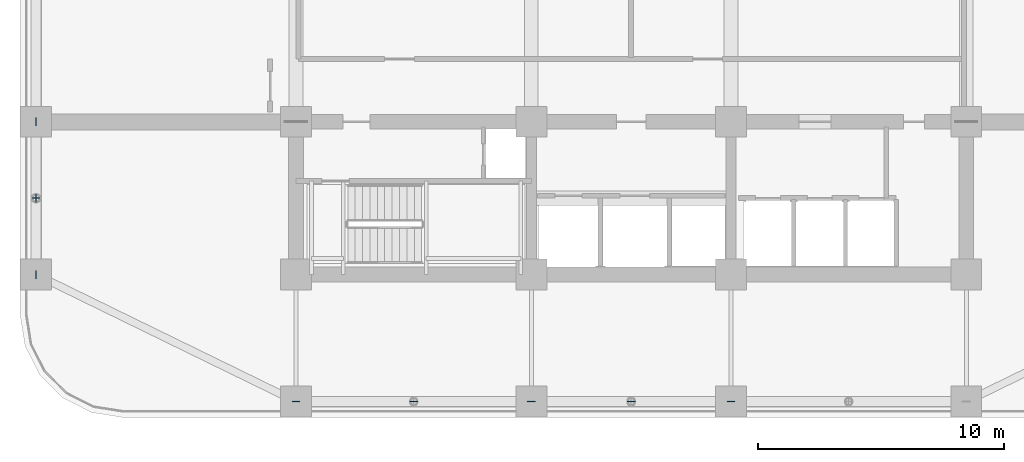
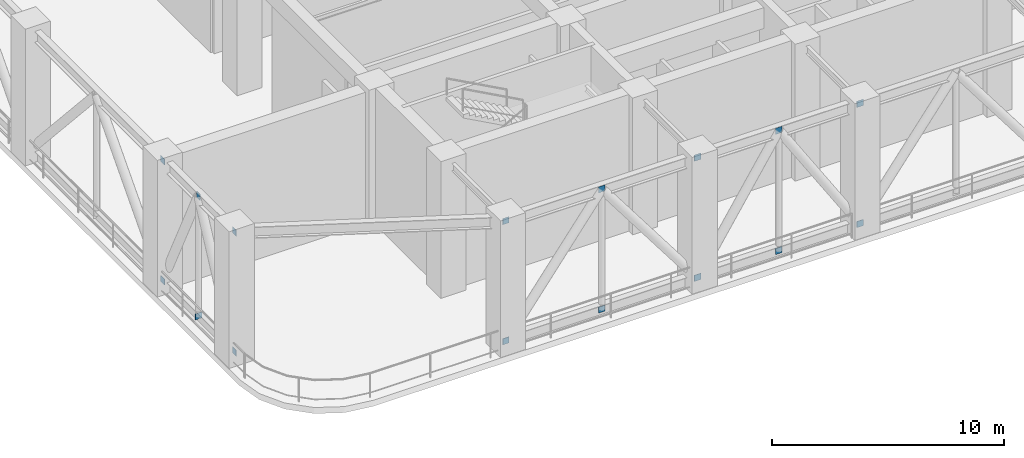
# One storey, part 13 of 20: 16 discrete accessories.
"""IFC4 building model written with IfcOpenShell, lengths in metres."""

from ifc_helpers import new_model, si_unit, direction, frame, origin, origin_2d, place, context, subcontext, project, spatial, rectangle, extrude, material, layer, layer_set, type_object, element, save


model = new_model("IFC4")

# Units and contexts
model_context = context("Model", 3, precision=1e-05, world=origin(), true_north=direction((0.0, 1.0)))
body_context = subcontext(model_context, "Body", "Model", "MODEL_VIEW")
ifc_project = project(units=[si_unit("LENGTHUNIT", "METRE"), si_unit("AREAUNIT", "SQUARE_METRE"), si_unit("VOLUMEUNIT", "CUBIC_METRE"), si_unit("PLANEANGLEUNIT", "RADIAN"), si_unit("MASSUNIT", "GRAM", prefix="KILO")], contexts=[model_context])

# Site, building, storey
site_placement = place(None, origin())
site = spatial("IfcSite", under=ifc_project, at=site_placement, CompositionType="ELEMENT")
building_placement = place(site_placement, origin())
building = spatial("IfcBuilding", under=site, at=building_placement, Name="Svetorya Sky Lyceum", CompositionType="ELEMENT")
storey_placement = place(building_placement, frame((0.0, 0.0, 76.89990234375)))
storey = spatial("IfcBuildingStorey", under=building, at=storey_placement, Name="L19", CompositionType="ELEMENT", Elevation=76.89990234375)

# Discrete accessories
ifc_material = material(Name="Steel S355", Category="steel")
ifc_layer = layer(ifc_material, 0.02392578125)
ifc_layer_set = layer_set([ifc_layer], Name="Steel S355")
discrete_accessory_type = type_object("IfcDiscreteAccessoryType", Name="ACC-GUSSET-24", PredefinedType="BRACKET", material=ifc_layer_set)
for number, where, z_axis, x_axis, name in (
    (1, (25.60009765625, 5.449951171875, 0.13525390625), (0.0, 0.0, 1.0), (1.0, 0.0, 0.0), "L19 Brace Node Gusset Plate 1"),
    (2, (35.14990234375, 5.449951171875, 0.13525390625), (0.0, 0.0, 1.0), (1.0, 0.0, 0.0), "L19 Brace Node Gusset Plate 2"),
    (3, (25.60009765625, 5.449951171875, 6.46484375), (0.0, 0.0, 1.0), (1.0, 0.0, 0.0), "L19 Brace Node Gusset Plate 3"),
    (4, (35.14990234375, 5.449951171875, 6.46484375), (0.0, 0.0, 1.0), (1.0, 0.0, 0.0), "L19 Brace Node Gusset Plate 4"),
    (5, (30.375, 5.449951171875, 6.46484375), (0.0, 0.0, 1.0), (1.0, 0.0, 0.0), "L19 Brace Node Gusset Plate 5"),
    (6, (30.375, 5.449951171875, 0.13525390625), (0.0, 0.0, 1.0), (1.0, 0.0, 0.0), "L19 Brace Node Gusset Plate 6"),
    (7, (43.25, 5.449951171875, 0.13525390625), (0.0, 0.0, 1.0), (1.0, 0.0, 0.0), "L19 Brace Node Gusset Plate 7"),
    (8, (43.25, 5.449951171875, 6.46484375), (0.0, 0.0, 1.0), (1.0, 0.0, 0.0), "L19 Brace Node Gusset Plate 8"),
    (9, (39.199951171875, 5.449951171875, 6.46484375), (0.0, 0.0, 1.0), (1.0, 0.0, 0.0), "L19 Brace Node Gusset Plate 9"),
    (10, (39.199951171875, 5.449951171875, 0.13525390625), (0.0, 0.0, 1.0), (1.0, 0.0, 0.0), "L19 Brace Node Gusset Plate 10"),
):
    element("IfcDiscreteAccessory", number, at=place(storey_placement, frame(where, z_axis=z_axis, x_axis=x_axis)), inside=storey, type_object=discrete_accessory_type, Name=name, PredefinedType="BRACKET", context=body_context, shape_type="SweptSolid", body=[
        extrude(rectangle(XDim=0.320068359375, YDim=0.02392578125, at=origin_2d()), origin(), (0.0, 0.0, 1.0), 0.320068359375),
    ])
for number, where, z_axis, x_axis, name in (
    (11, (15.050048828125, 10.60009765625, 0.13525390625), (0.0, 0.0, 1.0), (1.0, 0.0, 0.0), "L19 Brace Node Gusset Plate 29"),
    (12, (15.050048828125, 16.800048828125, 0.13525390625), (0.0, 0.0, 1.0), (1.0, 0.0, 0.0), "L19 Brace Node Gusset Plate 30"),
    (13, (15.050048828125, 10.60009765625, 6.46484375), (0.0, 0.0, 1.0), (1.0, 0.0, 0.0), "L19 Brace Node Gusset Plate 31"),
    (14, (15.050048828125, 16.800048828125, 6.46484375), (0.0, 0.0, 1.0), (1.0, 0.0, 0.0), "L19 Brace Node Gusset Plate 32"),
    (15, (15.050048828125, 13.699951171875, 6.46484375), (0.0, 0.0, 1.0), (1.0, 0.0, 0.0), "L19 Brace Node Gusset Plate 33"),
):
    element("IfcDiscreteAccessory", number, at=place(storey_placement, frame(where, z_axis=z_axis, x_axis=x_axis)), inside=storey, type_object=discrete_accessory_type, Name=name, PredefinedType="BRACKET", context=body_context, shape_type="SweptSolid", body=[
        extrude(rectangle(XDim=0.02392578125, YDim=0.320068359375, at=origin_2d()), origin(), (0.0, 0.0, 1.0), 0.320068359375),
    ])
discrete_accessory_placement = place(storey_placement, frame((15.050048828125, 13.699951171875, 0.13525390625), z_axis=(0.0, 0.0, 1.0), x_axis=(1.0, 0.0, 0.0)))
element("IfcDiscreteAccessory", 16, at=discrete_accessory_placement, inside=storey, type_object=discrete_accessory_type, Name="L19 Brace Node Gusset Plate 34", PredefinedType="BRACKET", context=body_context, shape_type="SweptSolid", body=[
    extrude(rectangle(XDim=0.320068359375, YDim=0.02392578125, at=origin_2d()), origin(), (0.0, 0.0, 1.0), 0.320068359375),
])

save(model, "model.ifc")
